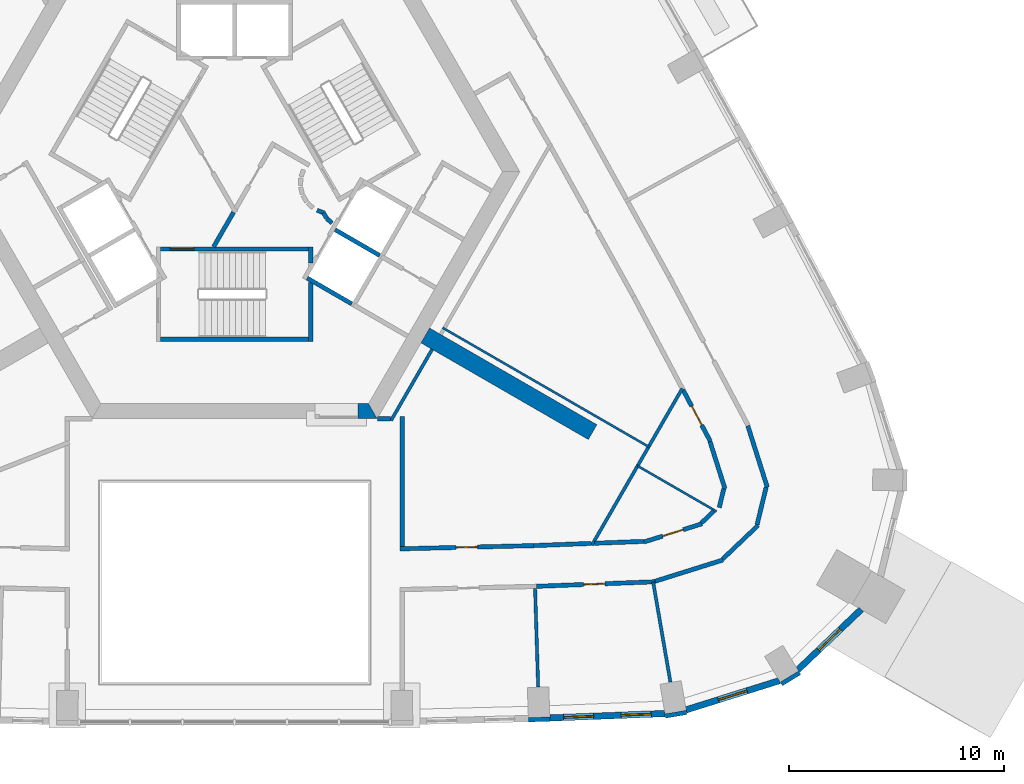
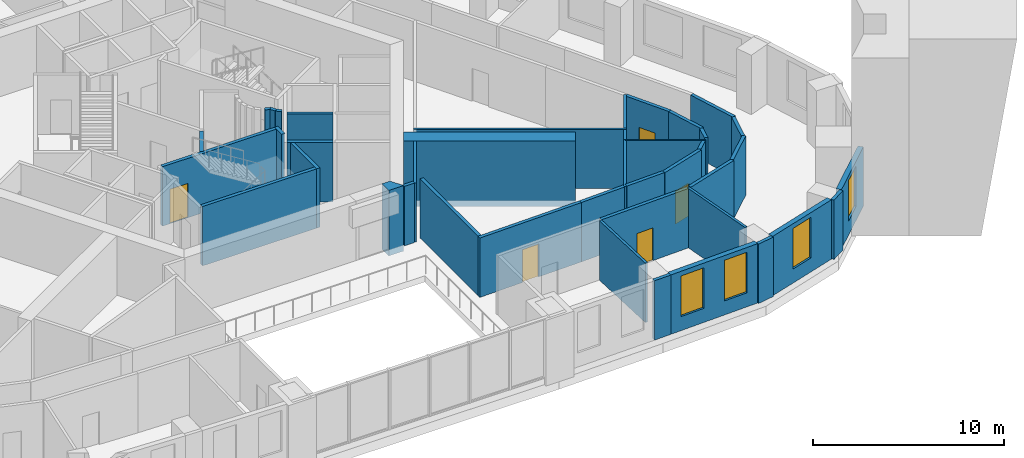
# One storey, part 6 of 13: 41 walls, 5 doors, 4 windows, 9 openings.
"""IFC4 building model written with IfcOpenShell, lengths in metres."""

from ifc_helpers import new_model, si_unit, direction, frame, frame_2d, origin, place, context, subcontext, project, spatial, polyline, rectangle, outline, extrude, material, layer, layer_set, type_object, element, fill, save


model = new_model("IFC4")

# Units and contexts
model_context = context("Model", 3, precision=1e-05, world=origin(), true_north=direction((0.0, 1.0)))
body_context = subcontext(model_context, "Body", "Model", "MODEL_VIEW")
ifc_project = project(units=[si_unit("LENGTHUNIT", "METRE"), si_unit("AREAUNIT", "SQUARE_METRE"), si_unit("VOLUMEUNIT", "CUBIC_METRE"), si_unit("PLANEANGLEUNIT", "RADIAN"), si_unit("MASSUNIT", "GRAM", prefix="KILO")], contexts=[model_context])

# Site, building, storey
site_placement = place(None, origin())
site = spatial("IfcSite", under=ifc_project, at=site_placement, CompositionType="ELEMENT")
building_placement = place(site_placement, origin())
building = spatial("IfcBuilding", under=site, at=building_placement, Name="Entoto Arch Interchange Tower", CompositionType="ELEMENT")
storey_placement = place(building_placement, frame((0.0, 0.0, 215.0)))
storey = spatial("IfcBuildingStorey", under=building, at=storey_placement, Name="L48", CompositionType="ELEMENT", Elevation=215.0)

# Walls
ifc_material_1 = material(Name="Concrete C50/60", Category="concrete")
ifc_layer_1 = layer(ifc_material_1, 0.800048828125)
ifc_layer_set_1 = layer_set([ifc_layer_1], Name="Concrete C50/60")
wall_type_1 = type_object("IfcWallType", Name="Buttress wall 800 C50/60", PredefinedType="SHEAR", material=ifc_layer_set_1)
wall_1_placement = place(storey_placement, frame((8.876953125, -5.125, -0.39990234375), z_axis=(0.0, 0.0, 1.0), x_axis=(0.866017533419, -0.500013631625, 0.0)))
element("IfcWall", 1, at=wall_1_placement, inside=storey, type_object=wall_type_1, Name="Buttress wall SE L48", PredefinedType="SHEAR", context=body_context, shape_type="SweptSolid", body=[
    extrude(rectangle(XDim=8.999755859375, YDim=0.800048828125, at=frame_2d((4.5, 0.0))), origin(), (0.0, 0.0, 1.0), 4.199951171875),
])
ifc_layer_2 = layer(ifc_material_1, 0.699951171875)
ifc_layer_set_2 = layer_set([ifc_layer_2], Name="Concrete C50/60")
wall_type_2 = type_object("IfcWallType", Name="Core wall 700 C50/60", PredefinedType="SHEAR", material=ifc_layer_set_2)
wall_2_placement = place(storey_placement, frame((0.0, 0.0, -0.39990234375)))
element("IfcWall", 2, at=wall_2_placement, inside=storey, type_object=wall_type_2, Name="Core wall S L48", PredefinedType="SHEAR", context=body_context, shape_type="SweptSolid", body=[
    extrude(outline(polyline([(5.75, -8.300048828125), (5.75, -9.0), (6.639892578125, -9.0), (6.235107421875, -8.300048828125), (5.75, -8.300048828125)])), origin(), (0.0, 0.0, 1.0), 4.199951171875),
])
ifc_material_2 = material(Name="Concrete C40/50", Category="concrete")
ifc_layer_3 = layer(ifc_material_2, 0.199951171875)
ifc_layer_set_3 = layer_set([ifc_layer_3], Name="Concrete C40/50")
wall_type_3 = type_object("IfcWallType", Name="LIFT SHAFT WALL 200", PredefinedType="STANDARD", material=ifc_layer_set_3)
wall_3_placement = place(storey_placement, frame((3.376953125, -2.451904296875, 0.0), z_axis=(0.0, 0.0, 1.0), x_axis=(0.865955154139, -0.50012165622, 0.0)))
element("IfcWall", 3, at=wall_3_placement, inside=storey, type_object=wall_type_3, Name="Shaft wall SE1 cross 1", PredefinedType="STANDARD", context=body_context, shape_type="SweptSolid", body=[
    extrude(rectangle(XDim=2.39990234375, YDim=0.199951171875, at=frame_2d((1.199951171875, 0.0))), origin(), (0.0, 0.0, 1.0), 3.800048828125),
])
wall_4_placement = place(storey_placement, frame((4.677001953125, -0.199951171875, 0.0), z_axis=(0.0, 0.0, 1.0), x_axis=(0.865973769406, -0.500089422704, 0.0)))
element("IfcWall", 4, at=wall_4_placement, inside=storey, type_object=wall_type_3, Name="Shaft wall SE1 cross 2", PredefinedType="STANDARD", context=body_context, shape_type="SweptSolid", body=[
    extrude(rectangle(XDim=2.3994140625, YDim=0.199951171875, at=frame_2d((1.19970703125, 0.0))), origin(), (0.0, 0.0, 1.0), 3.800048828125),
])
ifc_material_3 = material(Name="Gypsum board partition on steel studs", Category="steel")
ifc_layer_4 = layer(ifc_material_3, 0.10009765625)
ifc_layer_set_4 = layer_set([ifc_layer_4], Name="Gypsum board partition on steel studs")
wall_type_4 = type_object("IfcWallType", Name="PARTITION 100", PredefinedType="PARTITIONING", material=ifc_layer_set_4)
wall_5_placement = place(storey_placement, frame((9.68896484375, -4.76806640625, 0.0), z_axis=(0.0, 0.0, 1.0), x_axis=(0.866023322577, -0.500003604739, 0.0)))
element("IfcWall", 5, at=wall_5_placement, inside=storey, type_object=wall_type_4, Name="wall:L48:p107", PredefinedType="PARTITIONING", context=body_context, shape_type="SweptSolid", body=[
    extrude(rectangle(XDim=11.14990234375, YDim=0.10009765625, at=frame_2d((5.574951171875, 0.0))), origin(), (0.0, 0.0, 1.0), 3.800048828125),
])
wall_6_placement = place(storey_placement, frame((18.764892578125, -11.198974609375, 0.0), z_axis=(0.0, 0.0, 1.0), x_axis=(0.866038964406, -0.499976511579, 0.0)))
element("IfcWall", 6, at=wall_6_placement, inside=storey, type_object=wall_type_4, Name="wall:L48:p111", PredefinedType="PARTITIONING", context=body_context, shape_type="SweptSolid", body=[
    extrude(rectangle(XDim=4.242431640625, YDim=0.10009765625, at=frame_2d((2.12109375, 0.0))), origin(), (0.0, 0.0, 1.0), 3.800048828125),
])
ifc_layer_5 = layer(ifc_material_3, 0.14990234375)
ifc_layer_set_5 = layer_set([ifc_layer_5], Name="Gypsum board partition on steel studs")
wall_type_5 = type_object("IfcWallType", Name="PARTITION 150", PredefinedType="PARTITIONING", material=ifc_layer_set_5)
wall_7_placement = place(storey_placement, frame((7.282958984375, -9.0859375, 0.0), z_axis=(0.0, 0.0, 1.0), x_axis=(0.500035303972, 0.866005020067, 0.0)))
element("IfcWall", 7, at=wall_7_placement, inside=storey, type_object=wall_type_5, Name="wall:L48:p087", PredefinedType="PARTITIONING", context=body_context, shape_type="SweptSolid", body=[
    extrude(rectangle(XDim=3.827880859375, YDim=0.14990234375, at=frame_2d((1.9140625, 0.0))), origin(), (0.0, 0.0, 1.0), 3.800048828125),
])
wall_8_placement = place(storey_placement, frame((18.7890625, -11.156005859375, 0.0), z_axis=(0.0, 0.0, 1.0), x_axis=(-0.499822078765, -0.866128102292, 0.0)))
element("IfcWall", 8, at=wall_8_placement, inside=storey, type_object=wall_type_5, Name="wall:L48:p108", PredefinedType="PARTITIONING", context=body_context, shape_type="SweptSolid", body=[
    extrude(rectangle(XDim=4.3134765625, YDim=0.14990234375, at=frame_2d((2.15673828125, 0.0))), origin(), (0.0, 0.0, 1.0), 3.800048828125),
])
wall_9_placement = place(storey_placement, frame((19.2548828125, -10.34912109375, 0.0), z_axis=(0.0, 0.0, 1.0), x_axis=(-0.499185199876, -0.866495318063, 0.0)))
element("IfcWall", 9, at=wall_9_placement, inside=storey, type_object=wall_type_5, Name="wall:L48:p109", PredefinedType="PARTITIONING", context=body_context, shape_type="SweptSolid", body=[
    extrude(rectangle(XDim=0.93115234375, YDim=0.14990234375, at=frame_2d((0.465576171875, 0.0))), origin(), (0.0, 0.0, 1.0), 3.800048828125),
])
wall_10_placement = place(storey_placement, frame((20.846923828125, -7.593017578125, 0.0), z_axis=(0.0, 0.0, 1.0), x_axis=(-0.500261762561, -0.865874222343, 0.0)))
element("IfcWall", 10, at=wall_10_placement, inside=storey, type_object=wall_type_5, Name="wall:L48:p110", PredefinedType="PARTITIONING", context=body_context, shape_type="SweptSolid", body=[
    extrude(rectangle(XDim=3.082275390625, YDim=0.14990234375, at=frame_2d((1.541015625, 0.0))), origin(), (0.0, 0.0, 1.0), 3.800048828125),
])
wall_11_placement = place(storey_placement, frame((13.990966796875, -16.909912109375, 0.0), z_axis=(0.0, 0.0, 1.0), x_axis=(0.031234752378, -0.999512076087, 0.0)))
element("IfcWall", 11, at=wall_11_placement, inside=storey, type_object=wall_type_5, Name="wall:L48:p117", PredefinedType="PARTITIONING", context=body_context, shape_type="SweptSolid", body=[
    extrude(rectangle(XDim=4.580322265625, YDim=0.14990234375, at=frame_2d((2.2900390625, 0.0))), origin(), (0.0, 0.0, 1.0), 3.800048828125),
])
wall_12_placement = place(storey_placement, frame((19.488037109375, -16.59912109375, 0.0), z_axis=(0.0, 0.0, 1.0), x_axis=(0.169963884325, -0.985450292011, 0.0)))
element("IfcWall", 12, at=wall_12_placement, inside=storey, type_object=wall_type_5, Name="wall:L48:p118", PredefinedType="PARTITIONING", context=body_context, shape_type="SweptSolid", body=[
    extrude(rectangle(XDim=4.73583984375, YDim=0.14990234375, at=frame_2d((2.367919921875, 0.0))), origin(), (0.0, 0.0, 1.0), 3.800048828125),
])

# Wall, opening, door
ifc_layer_6 = layer(ifc_material_3, 0.199951171875)
ifc_layer_set_6 = layer_set([ifc_layer_6], Name="Gypsum board partition on steel studs")
wall_type_6 = type_object("IfcWallType", Name="PARTITION 200", PredefinedType="PARTITIONING", material=ifc_layer_set_6)
wall_13_placement = place(storey_placement, frame((7.699951171875, -15.06103515625, 0.0), z_axis=(0.0, 0.0, 1.0), x_axis=(0.999709615165, 0.024097413707, 0.0)))
wall_13 = element("IfcWall", 13, at=wall_13_placement, inside=storey, type_object=wall_type_6, Name="wall:L48:p014", PredefinedType="PARTITIONING", context=body_context, shape_type="SweptSolid", body=[
    extrude(rectangle(XDim=6.230712890625, YDim=0.199951171875, at=frame_2d((3.115234375, 0.0))), origin(), (0.0, 0.0, 1.0), 3.800048828125),
])
opening_1_placement = place(wall_13_placement, frame((2.614990234375, 0.0, 0.0)))
opening_1 = element("IfcOpeningElement", 14, at=opening_1_placement, cuts=wall_13, Name="Opening L48-D16", PredefinedType="OPENING", context=body_context, shape_type="SweptSolid", body=[
    extrude(rectangle(XDim=1.0, YDim=2.10009765625, at=frame_2d((0.5, 1.050048828125))), frame((0.0, 0.10986328125, 0.0), z_axis=(0.0, -1.0, 0.0), x_axis=(1.0, 0.0, 0.0)), (0.0, 0.0, 1.0), 0.219970703125),
])
ifc_material_4 = material(Name="Timber door leaf in Steel S235 frame", Category="steel")
door_type_1 = type_object("IfcDoorType", Name="DOOR DS-10 1000x2100", OperationType="SINGLE_SWING_LEFT", PredefinedType="DOOR", material=ifc_material_4)
door_1_placement = place(opening_1_placement, origin())
door_1 = element("IfcDoor", 15, at=door_1_placement, inside=storey, type_object=door_type_1, Name="door:L48:16", OperationType="SINGLE_SWING_LEFT", OverallHeight=2.10009765625, OverallWidth=1.0, PredefinedType="DOOR", context=body_context, shape_type="SweptSolid", body=[
    extrude(rectangle(XDim=1.0, YDim=2.10009765625, at=frame_2d((0.5, 1.050048828125))), frame((0.0, 0.02490234375, 0.0), z_axis=(0.0, -1.0, 0.0), x_axis=(1.0, 0.0, 0.0)), (0.0, 0.0, 1.0), 0.050048828125),
])
fill(opening_1, door_1)

# Walls
wall_14_placement = place(storey_placement, frame((13.928955078125, -14.910888671875, 0.0), z_axis=(0.0, 0.0, 1.0), x_axis=(0.99926480204, 0.038338693307, 0.0)))
element("IfcWall", 16, at=wall_14_placement, inside=storey, type_object=wall_type_6, Name="wall:L48:p015", PredefinedType="PARTITIONING", context=body_context, shape_type="SweptSolid", body=[
    extrude(rectangle(XDim=2.680908203125, YDim=0.199951171875, at=frame_2d((1.34033203125, 0.0))), origin(), (0.0, 0.0, 1.0), 3.800048828125),
])
wall_15_placement = place(storey_placement, frame((16.757080078125, -14.802001953125, 0.0), z_axis=(0.0, 0.0, 1.0), x_axis=(0.999273784151, 0.038103862122, 0.0)))
element("IfcWall", 17, at=wall_15_placement, inside=storey, type_object=wall_type_6, Name="wall:L48:p018", PredefinedType="PARTITIONING", context=body_context, shape_type="SweptSolid", body=[
    extrude(rectangle(XDim=2.306640625, YDim=0.199951171875, at=frame_2d((1.1533203125, 0.0))), origin(), (0.0, 0.0, 1.0), 3.800048828125),
])

# Wall, opening, door
wall_16_placement = place(storey_placement, frame((19.06591796875, -14.739990234375, 0.0), z_axis=(0.0, 0.0, 1.0), x_axis=(0.954238004552, 0.299048207935, 0.0)))
wall_16 = element("IfcWall", 18, at=wall_16_placement, inside=storey, type_object=wall_type_6, Name="wall:L48:p019", PredefinedType="PARTITIONING", context=body_context, shape_type="SweptSolid", body=[
    extrude(rectangle(XDim=2.822265625, YDim=0.199951171875, at=frame_2d((1.4111328125, 0.0))), origin(), (0.0, 0.0, 1.0), 3.800048828125),
])
opening_2_placement = place(wall_16_placement, frame((0.910888671875, 0.0, 0.0)))
opening_2 = element("IfcOpeningElement", 19, at=opening_2_placement, cuts=wall_16, Name="Opening L48-D18", PredefinedType="OPENING", context=body_context, shape_type="SweptSolid", body=[
    extrude(rectangle(XDim=1.0, YDim=2.10009765625, at=frame_2d((0.5, 1.050048828125))), frame((0.0, 0.10986328125, 0.0), z_axis=(0.0, -1.0, 0.0), x_axis=(1.0, 0.0, 0.0)), (0.0, 0.0, 1.0), 0.219970703125),
])
door_2_placement = place(opening_2_placement, origin())
door_2 = element("IfcDoor", 20, at=door_2_placement, inside=storey, type_object=door_type_1, Name="door:L48:18", OperationType="SINGLE_SWING_LEFT", OverallHeight=2.10009765625, OverallWidth=1.0, PredefinedType="DOOR", context=body_context, shape_type="SweptSolid", body=[
    extrude(rectangle(XDim=1.0, YDim=2.10009765625, at=frame_2d((0.5, 1.050048828125))), frame((0.0, 0.02490234375, 0.0), z_axis=(0.0, -1.0, 0.0), x_axis=(1.0, 0.0, 0.0)), (0.0, 0.0, 1.0), 0.050048828125),
])
fill(opening_2, door_2)

# Walls
wall_17_placement = place(storey_placement, frame((21.736083984375, -13.85693359375, 0.0), z_axis=(0.0, 0.0, 1.0), x_axis=(0.723666760573, 0.690149563241, 0.0)))
element("IfcWall", 21, at=wall_17_placement, inside=storey, type_object=wall_type_6, Name="wall:L48:p020", PredefinedType="PARTITIONING", context=body_context, shape_type="SweptSolid", body=[
    extrude(rectangle(XDim=0.80126953125, YDim=0.199951171875, at=frame_2d((0.400634765625, 0.0))), origin(), (0.0, 0.0, 1.0), 3.800048828125),
])
wall_18_placement = place(storey_placement, frame((22.56689453125, -13.138916015625, 0.0), z_axis=(0.0, 0.0, 1.0), x_axis=(0.2356388299, 0.971840697771, 0.0)))
element("IfcWall", 22, at=wall_18_placement, inside=storey, type_object=wall_type_6, Name="wall:L48:p021", PredefinedType="PARTITIONING", context=body_context, shape_type="SweptSolid", body=[
    extrude(rectangle(XDim=0.900390625, YDim=0.199951171875, at=frame_2d((0.4501953125, 0.0))), origin(), (0.0, 0.0, 1.0), 3.800048828125),
])
wall_19_placement = place(storey_placement, frame((22.8330078125, -12.261962890625, 0.0), z_axis=(0.0, 0.0, 1.0), x_axis=(-0.302262657712, 0.953224677478, 0.0)))
element("IfcWall", 23, at=wall_19_placement, inside=storey, type_object=wall_type_6, Name="wall:L48:p022", PredefinedType="PARTITIONING", context=body_context, shape_type="SweptSolid", body=[
    extrude(rectangle(XDim=2.302734375, YDim=0.199951171875, at=frame_2d((1.1513671875, 0.0))), origin(), (0.0, 0.0, 1.0), 3.800048828125),
])

# Wall, opening, door
wall_20_placement = place(storey_placement, frame((22.154052734375, -10.06005859375, 0.0), z_axis=(0.0, 0.0, 1.0), x_axis=(-0.468114756541, 0.883667683413, 0.0)))
wall_20 = element("IfcWall", 24, at=wall_20_placement, inside=storey, type_object=wall_type_6, Name="wall:L48:p023", PredefinedType="PARTITIONING", context=body_context, shape_type="SweptSolid", body=[
    extrude(rectangle(XDim=2.71728515625, YDim=0.199951171875, at=frame_2d((1.358642578125, 0.0))), origin(), (0.0, 0.0, 1.0), 3.800048828125),
])
opening_3_placement = place(wall_20_placement, frame((0.85888671875, 0.0, 0.0)))
opening_3 = element("IfcOpeningElement", 25, at=opening_3_placement, cuts=wall_20, Name="Opening L48-D19", PredefinedType="OPENING", context=body_context, shape_type="SweptSolid", body=[
    extrude(rectangle(XDim=1.0, YDim=2.10009765625, at=frame_2d((0.5, 1.050048828125))), frame((0.0, 0.10986328125, 0.0), z_axis=(0.0, -1.0, 0.0), x_axis=(1.0, 0.0, 0.0)), (0.0, 0.0, 1.0), 0.219970703125),
])
door_3_placement = place(opening_3_placement, origin())
door_3 = element("IfcDoor", 26, at=door_3_placement, inside=storey, type_object=door_type_1, Name="door:L48:19", OperationType="SINGLE_SWING_LEFT", OverallHeight=2.10009765625, OverallWidth=1.0, PredefinedType="DOOR", context=body_context, shape_type="SweptSolid", body=[
    extrude(rectangle(XDim=1.0, YDim=2.10009765625, at=frame_2d((0.5, 1.050048828125))), frame((0.0, 0.02490234375, 0.0), z_axis=(0.0, -1.0, 0.0), x_axis=(1.0, 0.0, 0.0)), (0.0, 0.0, 1.0), 0.050048828125),
])
fill(opening_3, door_3)

wall_21_placement = place(storey_placement, frame((19.587890625, -16.594970703125, 0.0), z_axis=(0.0, 0.0, 1.0), x_axis=(-0.999265212989, -0.038327980772, 0.0)))
wall_21 = element("IfcWall", 27, at=wall_21_placement, inside=storey, type_object=wall_type_6, Name="wall:L48:p036", PredefinedType="PARTITIONING", context=body_context, shape_type="SweptSolid", body=[
    extrude(rectangle(XDim=5.529052734375, YDim=0.199951171875, at=frame_2d((2.7646484375, 0.0))), origin(), (0.0, 0.0, 1.0), 3.800048828125),
])
opening_4_placement = place(wall_21_placement, frame((2.339111328125, 0.0, 0.0)))
opening_4 = element("IfcOpeningElement", 28, at=opening_4_placement, cuts=wall_21, Name="Opening L48-D02", PredefinedType="OPENING", context=body_context, shape_type="SweptSolid", body=[
    extrude(rectangle(XDim=1.0, YDim=2.10009765625, at=frame_2d((0.5, 1.050048828125))), frame((0.0, 0.10986328125, 0.0), z_axis=(0.0, -1.0, 0.0), x_axis=(1.0, 0.0, 0.0)), (0.0, 0.0, 1.0), 0.219970703125),
])
door_4_placement = place(opening_4_placement, origin())
door_4 = element("IfcDoor", 29, at=door_4_placement, inside=storey, type_object=door_type_1, Name="door:L48:02", OperationType="SINGLE_SWING_LEFT", OverallHeight=2.10009765625, OverallWidth=1.0, PredefinedType="DOOR", context=body_context, shape_type="SweptSolid", body=[
    extrude(rectangle(XDim=1.0, YDim=2.10009765625, at=frame_2d((0.5, 1.050048828125))), frame((0.0, 0.02490234375, 0.0), z_axis=(0.0, -1.0, 0.0), x_axis=(1.0, 0.0, 0.0)), (0.0, 0.0, 1.0), 0.050048828125),
])
fill(opening_4, door_4)

# Walls
wall_22_placement = place(storey_placement, frame((23.89697265625, -9.330078125, 0.0), z_axis=(0.0, 0.0, 1.0), x_axis=(0.302200639646, -0.953244340868, 0.0)))
element("IfcWall", 30, at=wall_22_placement, inside=storey, type_object=wall_type_6, Name="wall:L48:p039", PredefinedType="PARTITIONING", context=body_context, shape_type="SweptSolid", body=[
    extrude(rectangle(XDim=3.00439453125, YDim=0.199951171875, at=frame_2d((1.502197265625, 0.0))), origin(), (0.0, 0.0, 1.0), 3.800048828125),
])
wall_23_placement = place(storey_placement, frame((24.7509765625, -12.196044921875, 0.0), z_axis=(0.0, 0.0, 1.0), x_axis=(-0.235756216468, -0.971812227952, 0.0)))
element("IfcWall", 31, at=wall_23_placement, inside=storey, type_object=wall_type_6, Name="wall:L48:p040", PredefinedType="PARTITIONING", context=body_context, shape_type="SweptSolid", body=[
    extrude(rectangle(XDim=1.78955078125, YDim=0.199951171875, at=frame_2d((0.894775390625, 0.0))), origin(), (0.0, 0.0, 1.0), 3.800048828125),
])
wall_24_placement = place(storey_placement, frame((24.3779296875, -13.964111328125, 0.0), z_axis=(0.0, 0.0, 1.0), x_axis=(-0.723967420116, -0.689834164571, 0.0)))
element("IfcWall", 32, at=wall_24_placement, inside=storey, type_object=wall_type_6, Name="wall:L48:p041", PredefinedType="PARTITIONING", context=body_context, shape_type="SweptSolid", body=[
    extrude(rectangle(XDim=2.28173828125, YDim=0.199951171875, at=frame_2d((1.140869140625, 0.0))), origin(), (0.0, 0.0, 1.0), 3.800048828125),
])
wall_25_placement = place(storey_placement, frame((22.7490234375, -15.576904296875, 0.0), z_axis=(0.0, 0.0, 1.0), x_axis=(-0.954238750745, -0.299045826884, 0.0)))
element("IfcWall", 33, at=wall_25_placement, inside=storey, type_object=wall_type_6, Name="wall:L48:p042", PredefinedType="PARTITIONING", context=body_context, shape_type="SweptSolid", body=[
    extrude(rectangle(XDim=3.31787109375, YDim=0.199951171875, at=frame_2d((1.658935546875, 0.0))), origin(), (0.0, 0.0, 1.0), 3.800048828125),
])
wall_26_placement = place(storey_placement, frame((6.64111328125, -8.9990234375, 0.0), z_axis=(0.0, 0.0, 1.0), x_axis=(1.0, 0.0, 0.0)))
element("IfcWall", 34, at=wall_26_placement, inside=storey, type_object=wall_type_6, Name="wall:L48:p086", PredefinedType="PARTITIONING", context=body_context, shape_type="SweptSolid", body=[
    extrude(rectangle(XDim=0.616943359375, YDim=0.199951171875, at=frame_2d((0.30859375, 0.0))), origin(), (0.0, 0.0, 1.0), 3.800048828125),
])
wall_27_placement = place(storey_placement, frame((-0.98193359375, -1.0, 0.0), z_axis=(0.0, 0.0, 1.0), x_axis=(0.50024047865, 0.865886518847, 0.0)))
element("IfcWall", 35, at=wall_27_placement, inside=storey, type_object=wall_type_6, Name="wall:L48:p089", PredefinedType="PARTITIONING", context=body_context, shape_type="SweptSolid", body=[
    extrude(rectangle(XDim=1.86279296875, YDim=0.199951171875, at=frame_2d((0.931396484375, 0.0))), origin(), (0.0, 0.0, 1.0), 3.800048828125),
])
wall_28_placement = place(storey_placement, frame((3.837890625, 0.701904296875, 0.0), z_axis=(0.0, 0.0, 1.0), x_axis=(0.941035081519, -0.338308993895, 0.0)))
element("IfcWall", 36, at=wall_28_placement, inside=storey, type_object=wall_type_6, Name="wall:L48:p097", PredefinedType="PARTITIONING", context=body_context, shape_type="SweptSolid", body=[
    extrude(rectangle(XDim=0.3369140625, YDim=0.199951171875, at=frame_2d((0.16845703125, 0.0))), origin(), (0.0, 0.0, 1.0), 3.800048828125),
])
wall_29_placement = place(storey_placement, frame((4.132080078125, 0.593017578125, 0.0), z_axis=(0.0, 0.0, 1.0), x_axis=(0.513561617048, -0.858052717201, 0.0)))
element("IfcWall", 37, at=wall_29_placement, inside=storey, type_object=wall_type_6, Name="wall:L48:p098", PredefinedType="PARTITIONING", context=body_context, shape_type="SweptSolid", body=[
    extrude(rectangle(XDim=0.3076171875, YDim=0.199951171875, at=frame_2d((0.15380859375, 0.0))), origin(), (0.0, 0.0, 1.0), 3.800048828125),
])
wall_30_placement = place(storey_placement, frame((4.301025390625, 0.31494140625, 0.0), z_axis=(0.0, 0.0, 1.0), x_axis=(0.741798017506, -0.670623367639, 0.0)))
element("IfcWall", 38, at=wall_30_placement, inside=storey, type_object=wall_type_6, Name="wall:L48:p099", PredefinedType="PARTITIONING", context=body_context, shape_type="SweptSolid", body=[
    extrude(rectangle(XDim=0.30859375, YDim=0.199951171875, at=frame_2d((0.154296875, 0.0))), origin(), (0.0, 0.0, 1.0), 3.800048828125),
])
wall_31_placement = place(storey_placement, frame((7.800048828125, -8.89892578125, 0.0), z_axis=(0.0, 0.0, 1.0), x_axis=(0.0, -1.0, 0.0)))
element("IfcWall", 39, at=wall_31_placement, inside=storey, type_object=wall_type_6, Name="wall:L48:p101", PredefinedType="PARTITIONING", context=body_context, shape_type="SweptSolid", body=[
    extrude(rectangle(XDim=6.06005859375, YDim=0.199951171875, at=frame_2d((3.030029296875, 0.0))), origin(), (0.0, 0.0, 1.0), 3.800048828125),
])
ifc_layer_7 = layer(ifc_material_2, 0.199951171875)
ifc_layer_set_7 = layer_set([ifc_layer_7], Name="Concrete C40/50")
wall_type_7 = type_object("IfcWallType", Name="STAIR ENCLOSURE WALL 200", PredefinedType="STANDARD", material=ifc_layer_set_7)
wall_32_placement = place(storey_placement, frame((3.550048828125, -2.6669921875, 0.0), z_axis=(0.0, 0.0, 1.0), x_axis=(0.0, -1.0, 0.0)))
element("IfcWall", 40, at=wall_32_placement, inside=storey, type_object=wall_type_7, Name="Stair wall ST-S far", PredefinedType="STANDARD", context=body_context, shape_type="SweptSolid", body=[
    extrude(rectangle(XDim=2.73291015625, YDim=0.199951171875, at=frame_2d((1.366455078125, 0.0))), origin(), (0.0, 0.0, 1.0), 3.800048828125),
])
wall_33_placement = place(storey_placement, frame((3.550048828125, -1.0, 0.0), z_axis=(0.0, 0.0, 1.0), x_axis=(0.0, -1.0, 0.0)))
element("IfcWall", 41, at=wall_33_placement, inside=storey, type_object=wall_type_7, Name="Stair wall ST-S far return", PredefinedType="STANDARD", context=body_context, shape_type="SweptSolid", body=[
    extrude(rectangle(XDim=0.7509765625, YDim=0.199951171875, at=frame_2d((0.37548828125, 0.0))), origin(), (0.0, 0.0, 1.0), 3.800048828125),
])

# Wall, opening, door
wall_34_placement = place(storey_placement, frame((-3.449951171875, -1.10009765625, 0.0), z_axis=(0.0, 0.0, 1.0), x_axis=(1.0, 0.0, 0.0)))
wall_34 = element("IfcWall", 42, at=wall_34_placement, inside=storey, type_object=wall_type_7, Name="Stair wall ST-S hall", PredefinedType="STANDARD", context=body_context, shape_type="SweptSolid", body=[
    extrude(rectangle(XDim=6.89990234375, YDim=0.199951171875, at=frame_2d((3.449951171875, 0.0))), origin(), (0.0, 0.0, 1.0), 3.800048828125),
])
opening_5_placement = place(wall_34_placement, frame((0.449951171875, 0.0, 0.0)))
opening_5 = element("IfcOpeningElement", 43, at=opening_5_placement, cuts=wall_34, Name="Opening SD-ST-S-L48", PredefinedType="OPENING", context=body_context, shape_type="SweptSolid", body=[
    extrude(rectangle(XDim=1.10009765625, YDim=2.199951171875, at=frame_2d((0.550048828125, 1.10009765625))), frame((0.0, 0.10986328125, 0.0), z_axis=(0.0, -1.0, 0.0), x_axis=(1.0, 0.0, 0.0)), (0.0, 0.0, 1.0), 0.219970703125),
])
ifc_material_5 = material(Name="Steel S235", Category="steel")
door_type_2 = type_object("IfcDoorType", Name="STAIR DOOR SD1 1100x2200", OperationType="SINGLE_SWING_LEFT", PredefinedType="DOOR", material=ifc_material_5)
door_5_placement = place(opening_5_placement, origin())
door_5 = element("IfcDoor", 44, at=door_5_placement, inside=storey, type_object=door_type_2, Name="Stair door ST-S L48", OperationType="SINGLE_SWING_LEFT", OverallHeight=2.199951171875, OverallWidth=1.10009765625, PredefinedType="DOOR", context=body_context, shape_type="SweptSolid", body=[
    extrude(rectangle(XDim=1.10009765625, YDim=2.199951171875, at=frame_2d((0.550048828125, 1.10009765625))), frame((0.0, 0.02490234375, 0.0), z_axis=(0.0, -1.0, 0.0), x_axis=(1.0, 0.0, 0.0)), (0.0, 0.0, 1.0), 0.050048828125),
])
fill(opening_5, door_5)

# Wall
wall_35_placement = place(storey_placement, frame((-3.449951171875, -5.300048828125, 0.0), z_axis=(0.0, 0.0, 1.0), x_axis=(1.0, 0.0, 0.0)))
element("IfcWall", 45, at=wall_35_placement, inside=storey, type_object=wall_type_7, Name="Stair wall ST-S back", PredefinedType="STANDARD", context=body_context, shape_type="SweptSolid", body=[
    extrude(rectangle(XDim=6.89990234375, YDim=0.199951171875, at=frame_2d((3.449951171875, 0.0))), origin(), (0.0, 0.0, 1.0), 3.800048828125),
])

# Wall, openings, windows
ifc_material_6 = material(Name="Welded tuff (ignimbrite) cladding, warm buff", Category="masonry")
ifc_layer_8 = layer(ifc_material_6, 0.300048828125)
ifc_layer_set_8 = layer_set([ifc_layer_8], Name="Welded tuff (ignimbrite) cladding, warm buff")
wall_type_8 = type_object("IfcWallType", Name="STONE INFILL WALL 300", PredefinedType="STANDARD", material=ifc_layer_set_8)
wall_36_placement = place(storey_placement, frame((14.678955078125, -22.93798828125, 0.0), z_axis=(0.0, 0.0, 1.0), x_axis=(0.99926218254, 0.038406907512, 0.0)))
wall_36 = element("IfcWall", 46, at=wall_36_placement, inside=storey, type_object=wall_type_8, Name="Facade wall S-05 L48", PredefinedType="STANDARD", context=body_context, shape_type="SweptSolid", body=[
    extrude(rectangle(XDim=5.364990234375, YDim=0.300048828125, at=frame_2d((2.6826171875, 0.0))), origin(), (0.0, 0.0, 1.0), 3.800048828125),
])
opening_6_placement = place(wall_36_placement, frame((0.64111328125, 0.0, 0.89990234375)))
opening_6 = element("IfcOpeningElement", 47, at=opening_6_placement, cuts=wall_36, Name="Opening WO-B", PredefinedType="OPENING", context=body_context, shape_type="SweptSolid", body=[
    extrude(rectangle(XDim=1.39990234375, YDim=2.60009765625, at=frame_2d((0.699951171875, 1.300048828125))), frame((0.0, 0.16015625, 0.0), z_axis=(0.0, -1.0, 0.0), x_axis=(1.0, 0.0, 0.0)), (0.0, 0.0, 1.0), 0.320068359375),
])
opening_7_placement = place(wall_36_placement, frame((3.323974609375, 0.0, 0.89990234375)))
opening_7 = element("IfcOpeningElement", 48, at=opening_7_placement, cuts=wall_36, Name="Opening WO-B", PredefinedType="OPENING", context=body_context, shape_type="SweptSolid", body=[
    extrude(rectangle(XDim=1.39990234375, YDim=2.60009765625, at=frame_2d((0.699951171875, 1.300048828125))), frame((0.0, 0.16015625, 0.0), z_axis=(0.0, -1.0, 0.0), x_axis=(1.0, 0.0, 0.0)), (0.0, 0.0, 1.0), 0.320068359375),
])
ifc_material_7 = material(Name="Clear glass, low-e double glazed", Category="glass")
window_type = type_object("IfcWindowType", Name="WINDOW WO-B 1400x2600", PartitioningType="DOUBLE_PANEL_VERTICAL", PredefinedType="WINDOW", material=ifc_material_7)
window_1_placement = place(opening_6_placement, origin())
window_1 = element("IfcWindow", 49, at=window_1_placement, inside=storey, type_object=window_type, Name="Window WO-B S-05 L48", OverallHeight=2.60009765625, OverallWidth=1.39990234375, PartitioningType="SINGLE_PANEL", PredefinedType="WINDOW", context=body_context, shape_type="SweptSolid", body=[
    extrude(rectangle(XDim=1.39990234375, YDim=2.60009765625, at=frame_2d((0.699951171875, 1.300048828125))), frame((0.0, 0.030029296875, 0.0), z_axis=(0.0, -1.0, 0.0), x_axis=(1.0, 0.0, 0.0)), (0.0, 0.0, 1.0), 0.06005859375),
])
fill(opening_6, window_1)
window_2_placement = place(opening_7_placement, origin())
window_2 = element("IfcWindow", 50, at=window_2_placement, inside=storey, type_object=window_type, Name="Window WO-B S-05 L48", OverallHeight=2.60009765625, OverallWidth=1.39990234375, PartitioningType="SINGLE_PANEL", PredefinedType="WINDOW", context=body_context, shape_type="SweptSolid", body=[
    extrude(rectangle(XDim=1.39990234375, YDim=2.60009765625, at=frame_2d((0.699951171875, 1.300048828125))), frame((0.0, 0.030029296875, 0.0), z_axis=(0.0, -1.0, 0.0), x_axis=(1.0, 0.0, 0.0)), (0.0, 0.0, 1.0), 0.06005859375),
])
fill(opening_7, window_2)

# Wall, opening, window
wall_37_placement = place(storey_placement, frame((21.02392578125, -22.56201171875, 0.0), z_axis=(0.0, 0.0, 1.0), x_axis=(0.954297481837, 0.298858354675, 0.0)))
wall_37 = element("IfcWall", 51, at=wall_37_placement, inside=storey, type_object=wall_type_8, Name="Facade wall SE-01 L48", PredefinedType="STANDARD", context=body_context, shape_type="SweptSolid", body=[
    extrude(rectangle(XDim=4.551025390625, YDim=0.300048828125, at=frame_2d((2.275390625, 0.0))), origin(), (0.0, 0.0, 1.0), 3.800048828125),
])
opening_8_placement = place(wall_37_placement, frame((1.574951171875, 0.0, 0.89990234375)))
opening_8 = element("IfcOpeningElement", 52, at=opening_8_placement, cuts=wall_37, Name="Opening WO-B", PredefinedType="OPENING", context=body_context, shape_type="SweptSolid", body=[
    extrude(rectangle(XDim=1.39990234375, YDim=2.60009765625, at=frame_2d((0.699951171875, 1.300048828125))), frame((0.0, 0.16015625, 0.0), z_axis=(0.0, -1.0, 0.0), x_axis=(1.0, 0.0, 0.0)), (0.0, 0.0, 1.0), 0.320068359375),
])
window_3_placement = place(opening_8_placement, origin())
window_3 = element("IfcWindow", 53, at=window_3_placement, inside=storey, type_object=window_type, Name="Window WO-B SE-01 L48", OverallHeight=2.60009765625, OverallWidth=1.39990234375, PartitioningType="SINGLE_PANEL", PredefinedType="WINDOW", context=body_context, shape_type="SweptSolid", body=[
    extrude(rectangle(XDim=1.39990234375, YDim=2.60009765625, at=frame_2d((0.699951171875, 1.300048828125))), frame((0.0, 0.030029296875, 0.0), z_axis=(0.0, -1.0, 0.0), x_axis=(1.0, 0.0, 0.0)), (0.0, 0.0, 1.0), 0.06005859375),
])
fill(opening_8, window_3)

wall_38_placement = place(storey_placement, frame((26.22802734375, -20.697021484375, 0.0), z_axis=(0.0, 0.0, 1.0), x_axis=(0.723707630873, 0.69010670553, 0.0)))
wall_38 = element("IfcWall", 54, at=wall_38_placement, inside=storey, type_object=wall_type_8, Name="Facade wall SE-02 L48", PredefinedType="STANDARD", context=body_context, shape_type="SweptSolid", body=[
    extrude(rectangle(XDim=4.076171875, YDim=0.300048828125, at=frame_2d((2.0380859375, 0.0))), origin(), (0.0, 0.0, 1.0), 3.800048828125),
])
opening_9_placement = place(wall_38_placement, frame((1.337890625, 0.0, 0.89990234375)))
opening_9 = element("IfcOpeningElement", 55, at=opening_9_placement, cuts=wall_38, Name="Opening WO-B", PredefinedType="OPENING", context=body_context, shape_type="SweptSolid", body=[
    extrude(rectangle(XDim=1.39990234375, YDim=2.60009765625, at=frame_2d((0.699951171875, 1.300048828125))), frame((0.0, 0.16015625, 0.0), z_axis=(0.0, -1.0, 0.0), x_axis=(1.0, 0.0, 0.0)), (0.0, 0.0, 1.0), 0.320068359375),
])
window_4_placement = place(opening_9_placement, origin())
window_4 = element("IfcWindow", 56, at=window_4_placement, inside=storey, type_object=window_type, Name="Window WO-B SE-02 L48", OverallHeight=2.60009765625, OverallWidth=1.39990234375, PartitioningType="SINGLE_PANEL", PredefinedType="WINDOW", context=body_context, shape_type="SweptSolid", body=[
    extrude(rectangle(XDim=1.39990234375, YDim=2.60009765625, at=frame_2d((0.699951171875, 1.300048828125))), frame((0.0, 0.030029296875, 0.0), z_axis=(0.0, -1.0, 0.0), x_axis=(1.0, 0.0, 0.0)), (0.0, 0.0, 1.0), 0.06005859375),
])
fill(opening_9, window_4)

# Walls
ifc_layer_9 = layer(ifc_material_6, 0.199951171875)
ifc_layer_set_9 = layer_set([ifc_layer_9], Name="Welded tuff (ignimbrite) cladding, warm buff")
wall_type_9 = type_object("IfcWallType", Name="STONE PIER CLADDING 200", PredefinedType="STANDARD", material=ifc_layer_set_9)
wall_39_placement = place(storey_placement, frame((13.681884765625, -23.02392578125, 0.0), z_axis=(0.0, 0.0, 1.0), x_axis=(0.999423561854, 0.033949138587, 0.0)))
element("IfcWall", 57, at=wall_39_placement, inside=storey, type_object=wall_type_9, Name="Stone pier S05 L48", PredefinedType="STANDARD", context=body_context, shape_type="SweptSolid", body=[
    extrude(rectangle(XDim=0.99951171875, YDim=0.199951171875, at=frame_2d((0.499755859375, 0.0))), origin(), (0.0, 0.0, 1.0), 3.800048828125),
])
wall_40_placement = place(storey_placement, frame((20.05908203125, -22.847900390625, 0.0), z_axis=(0.0, 0.0, 1.0), x_axis=(0.985631544579, 0.168909615862, 0.0)))
element("IfcWall", 58, at=wall_40_placement, inside=storey, type_object=wall_type_9, Name="Stone pier S06 L48", PredefinedType="STANDARD", context=body_context, shape_type="SweptSolid", body=[
    extrude(rectangle(XDim=1.000244140625, YDim=0.199951171875, at=frame_2d((0.5, 0.0))), origin(), (0.0, 0.0, 1.0), 3.800048828125),
])
wall_41_placement = place(storey_placement, frame((25.458984375, -21.35498046875, 0.0), z_axis=(0.0, 0.0, 1.0), x_axis=(0.853679739553, 0.520798331677, 0.0)))
element("IfcWall", 59, at=wall_41_placement, inside=storey, type_object=wall_type_9, Name="Stone pier SE1 L48", PredefinedType="STANDARD", context=body_context, shape_type="SweptSolid", body=[
    extrude(rectangle(XDim=1.00048828125, YDim=0.199951171875, at=frame_2d((0.500244140625, 0.0))), origin(), (0.0, 0.0, 1.0), 3.800048828125),
])

save(model, "model.ifc")
